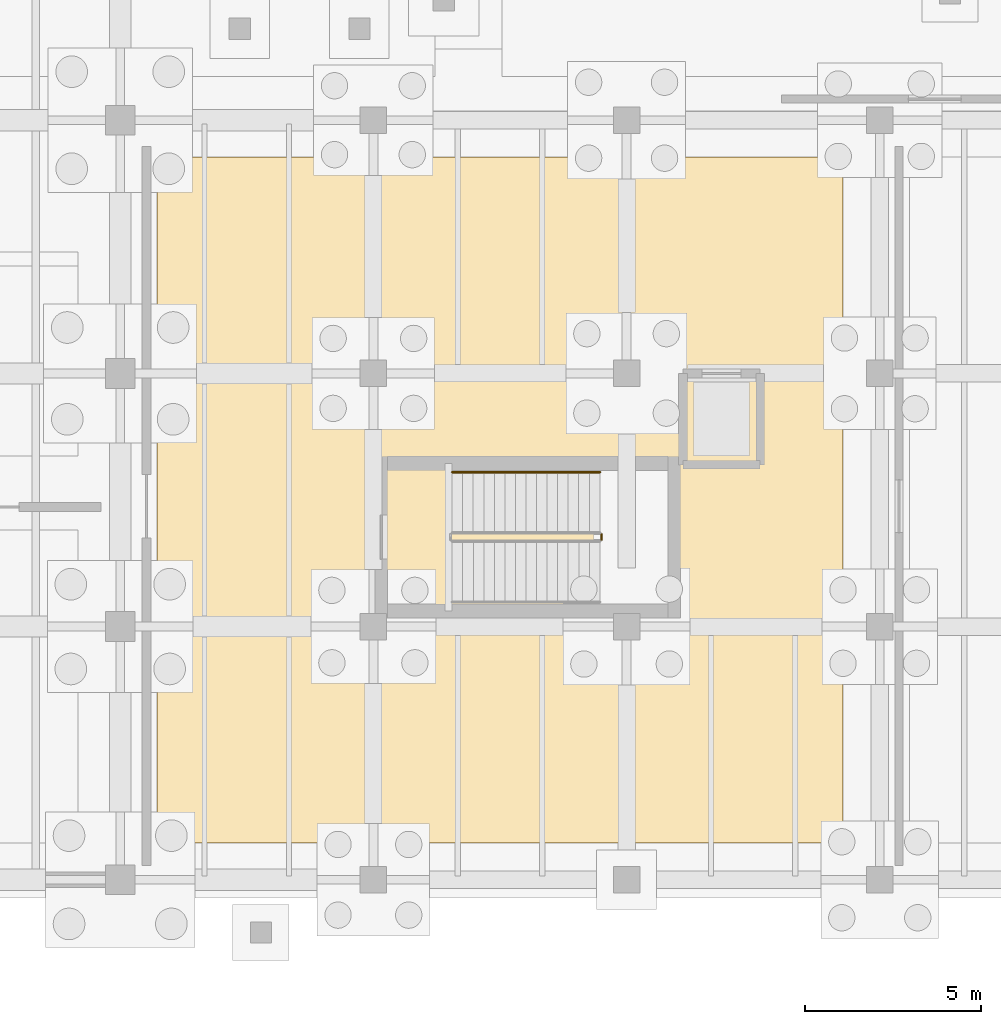
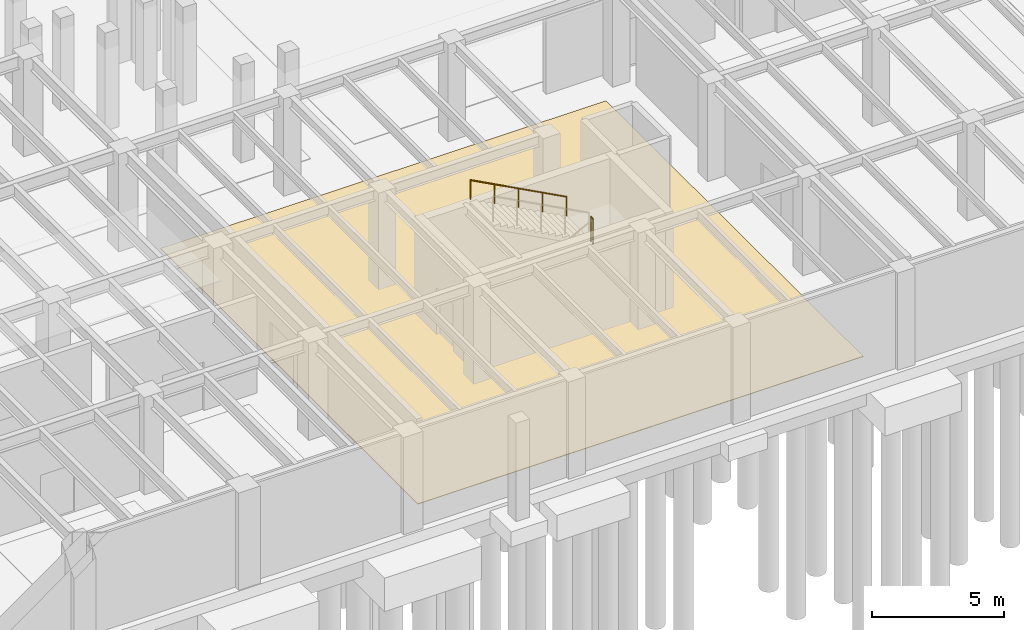
# One storey, part 20 of 26: 2 railings, 1 covering.
"""IFC4 building model written with IfcOpenShell, lengths in metres."""

import ifcopenshell
import ifcopenshell.guid

model = None  # the IFC model being written
_history = None  # IfcOwnerHistory: only IFC2X3 demands one
_inside = {}  # id of a spatial element -> (the spatial element, [elements in it])
_under = {}  # id of a project, library or spatial element -> (it, [spatial elements below it])
_declared = {}  # id of a project -> (the project, [libraries it declares])
_typed = {}  # id of a type object -> (the type object, [elements of that type])
_made_of = {}  # id of a material, layer set ... -> (it, [elements and type objects made of it])


def new_model(schema):
    """Start an empty IFC model of exactly this schema.

    Asked for "IFC4X3", IfcOpenShell would pick the latest addendum, in which some entities
    have other attributes; the version numbers below select the first issue.
    IFC2X3 requires an IfcOwnerHistory on every rooted entity: one is made here for all.
    """
    global model, _history
    if schema == "IFC4X3":
        model = ifcopenshell.file(schema_version=(4, 3, 0, 0))
    else:
        model = ifcopenshell.file(schema=schema)
    _inside.clear()
    _under.clear()
    _declared.clear()
    _typed.clear()
    _made_of.clear()
    _history = None
    if model.schema == "IFC2X3":
        org = make("IfcOrganization", Name="unknown")
        user = make(
            "IfcPersonAndOrganization",
            ThePerson=make("IfcPerson", FamilyName="unknown"),
            TheOrganization=org,
        )
        app = make(
            "IfcApplication",
            ApplicationDeveloper=org,
            Version="unknown",
            ApplicationFullName="unknown",
            ApplicationIdentifier="unknown",
        )
        _history = make(
            "IfcOwnerHistory",
            OwningUser=user,
            OwningApplication=app,
            ChangeAction="ADDED",
            CreationDate=0,
        )
    return model


def make(cls, **values):
    """One entity of the class cls with the attributes given. An attribute that is None is left unset."""
    return model.create_entity(
        cls, **{name: value for name, value in values.items() if value is not None}
    )


def rooted(cls, **values):
    """An entity with a GlobalId (a new one), such as an element, a storey or a relation."""
    return make(cls, GlobalId=ifcopenshell.guid.new(), OwnerHistory=_history, **values)


def si_unit(unit_type, name, prefix=None):
    """IfcSIUnit, for example si_unit("LENGTHUNIT", "METRE", prefix="MILLI")."""
    return make("IfcSIUnit", UnitType=unit_type, Prefix=prefix, Name=name)


def assignment(units):
    """IfcUnitAssignment: the units of a project."""
    return None if units is None else make("IfcUnitAssignment", Units=units)


def point(xyz):
    """IfcCartesianPoint."""
    return None if xyz is None else make("IfcCartesianPoint", Coordinates=xyz)


def direction(xyz):
    """IfcDirection."""
    return None if xyz is None else make("IfcDirection", DirectionRatios=xyz)


def frame(location, z_axis=None, x_axis=None):
    """IfcAxis2Placement3D, a coordinate frame: its origin and axes. An axis left out is left unset."""
    return make(
        "IfcAxis2Placement3D",
        Location=point(location),
        Axis=direction(z_axis),
        RefDirection=direction(x_axis),
    )


def frame_2d(location, x_axis=None):
    """IfcAxis2Placement2D, a coordinate frame in the plane: its origin and x axis."""
    return make(
        "IfcAxis2Placement2D", Location=point(location), RefDirection=direction(x_axis)
    )


def origin():
    """The frame at (0, 0, 0) with its axes left unset."""
    return frame((0.0, 0.0, 0.0))


def origin_2d():
    """The frame at (0, 0) in the plane with its x axis left unset."""
    return frame_2d((0.0, 0.0))


def place(relative_to, where):
    """IfcLocalPlacement: puts the frame where relative to a parent placement (None: the world)."""
    return make(
        "IfcLocalPlacement", PlacementRelTo=relative_to, RelativePlacement=where
    )


def context(
    kind, dimensions, precision=None, world=None, true_north=None, identifier=None
):
    """IfcGeometricRepresentationContext, for example the 3D "Model" context."""
    return make(
        "IfcGeometricRepresentationContext",
        ContextIdentifier=identifier,
        ContextType=kind,
        CoordinateSpaceDimension=dimensions,
        Precision=precision,
        WorldCoordinateSystem=world,
        TrueNorth=true_north,
    )


def subcontext(parent, identifier, kind, view, scale=None):
    """IfcGeometricRepresentationSubContext, for example "Body" below "Model"."""
    return make(
        "IfcGeometricRepresentationSubContext",
        ContextIdentifier=identifier,
        ContextType=kind,
        ParentContext=parent,
        TargetScale=scale,
        TargetView=view,
    )


def project(units=None, contexts=None):
    """IfcProject with its units and contexts."""
    return rooted(
        "IfcProject",
        Name="project",
        RepresentationContexts=contexts,
        UnitsInContext=assignment(units),
    )


def spatial(cls, under=None, at=None, **own):
    """A site, building, storey or space (cls), placed at a placement, below another one or the project."""
    s = rooted(cls, ObjectPlacement=at, **own)
    if under is not None:
        _under.setdefault(under.id(), (under, []))[1].append(s)
    return s


def polyline(points):
    """IfcPolyline through the points."""
    return make("IfcPolyline", Points=[point(p) for p in points])


def profile(cls, at=None, kind="AREA", **sizes):
    """A parametric profile (cls). Its sizes go by their IFC names, for example OverallWidth=200.0."""
    return make(cls, ProfileType=kind, Position=at, **sizes)


def circle(**sizes):
    """IfcCircleProfileDef."""
    return profile("IfcCircleProfileDef", **sizes)


def outline(outer, holes=None, kind="AREA"):
    """IfcArbitraryClosedProfileDef: a profile drawn as a closed curve; with holes, ...WithVoids."""
    if holes is None:
        return make("IfcArbitraryClosedProfileDef", ProfileType=kind, OuterCurve=outer)
    return make(
        "IfcArbitraryProfileDefWithVoids",
        ProfileType=kind,
        OuterCurve=outer,
        InnerCurves=holes,
    )


def extrude(swept, where, along, depth):
    """IfcExtrudedAreaSolid: the profile swept, set in the frame where, extruded along a direction by depth."""
    return make(
        "IfcExtrudedAreaSolid",
        SweptArea=swept,
        Position=where,
        ExtrudedDirection=direction(along),
        Depth=depth,
    )


def shape(context_of_items, identifier, shape_type, items):
    """IfcShapeRepresentation: the items that make up one representation, for example the "Body"."""
    return make(
        "IfcShapeRepresentation",
        ContextOfItems=context_of_items,
        RepresentationIdentifier=identifier,
        RepresentationType=shape_type,
        Items=items,
    )


def material(Name=None, Category=None):
    """IfcMaterial."""
    return make("IfcMaterial", Name=Name, Category=Category)


def layer(
    of_material, thickness, ventilated=None, Name=None, Category=None, Priority=None
):
    """IfcMaterialLayer: one layer of a wall or slab, of a material (None: an air gap)."""
    return make(
        "IfcMaterialLayer",
        Material=of_material,
        LayerThickness=thickness,
        IsVentilated=ventilated,
        Name=Name,
        Category=Category,
        Priority=Priority,
    )


def layer_set(layers, Name=None):
    """IfcMaterialLayerSet."""
    return make("IfcMaterialLayerSet", MaterialLayers=layers, LayerSetName=Name)


def made_of(thing, what):
    """Note that an element or type object is made of a material, layer set ...; save() writes the relation."""
    if what is not None:
        _made_of.setdefault(what.id(), (what, []))[1].append(thing)
    return thing


def type_object(cls, material=None, **own):
    """A type object (cls), such as IfcWallType, which elements share."""
    return made_of(rooted(cls, **own), material)


def element(
    cls,
    number,
    at=None,
    inside=None,
    cuts=None,
    type_object=None,
    material=None,
    context=None,
    identifier="Body",
    shape_type=None,
    held_by="IfcProductDefinitionShape",
    body=None,
    shapes=None,
    **own,
):
    """One element of the class cls, such as IfcWall. Its Tag is "e" and its number.

    at: its placement. inside: the storey or other place that contains it. cuts: it is an
    opening in that element (IfcRelVoidsElement). A single representation is given by context,
    identifier, shape_type and body (its items); several are given by shapes. held_by: the class
    of the entity that holds the representations. save() writes the other relations.
    """
    e = rooted(cls, Tag="e%d" % number, ObjectPlacement=at, **own)
    if body is not None:
        shapes = [shape(context, identifier, shape_type, body)]
    if shapes is not None:
        e.Representation = make(held_by, Representations=shapes)
    if inside is not None:
        _inside.setdefault(inside.id(), (inside, []))[1].append(e)
    if cuts is not None:
        rooted(
            "IfcRelVoidsElement", RelatingBuildingElement=cuts, RelatedOpeningElement=e
        )
    if type_object is not None:
        _typed.setdefault(type_object.id(), (type_object, []))[1].append(e)
    return made_of(e, material)


def aggregate(whole, parts):
    """IfcRelAggregates: a whole, such as a stair, and the parts it consists of."""
    return rooted("IfcRelAggregates", RelatingObject=whole, RelatedObjects=parts)


def save(model, path):
    """Write the relations noted so far, then the file.

    IfcRelAggregates (storeys below a building ...), IfcRelContainedInSpatialStructure (elements
    in a storey), IfcRelDefinesByType, IfcRelAssociatesMaterial and IfcRelDeclares: one each for
    every whole, place, type object, material and project.
    """
    for whole, parts in _under.values():
        aggregate(whole, parts)
    for where, things in _inside.values():
        rooted(
            "IfcRelContainedInSpatialStructure",
            RelatedElements=things,
            RelatingStructure=where,
        )
    for kind, things in _typed.values():
        rooted("IfcRelDefinesByType", RelatedObjects=things, RelatingType=kind)
    for what, things in _made_of.values():
        rooted("IfcRelAssociatesMaterial", RelatedObjects=things, RelatingMaterial=what)
    for by, libraries in _declared.values():
        rooted("IfcRelDeclares", RelatingContext=by, RelatedDefinitions=libraries)
    model.write(path)


model = new_model("IFC4")

# Units and contexts
model_context = context("Model", 3, precision=1e-05, world=origin(), true_north=direction((0.0, 1.0)))
body_context = subcontext(model_context, "Body", "Model", "MODEL_VIEW")
ifc_project = project(units=[si_unit("LENGTHUNIT", "METRE"), si_unit("AREAUNIT", "SQUARE_METRE"), si_unit("VOLUMEUNIT", "CUBIC_METRE"), si_unit("PLANEANGLEUNIT", "RADIAN"), si_unit("MASSUNIT", "GRAM", prefix="KILO")], contexts=[model_context])

# Site, building, storey
site_placement = place(None, origin())
site = spatial("IfcSite", under=ifc_project, at=site_placement, CompositionType="ELEMENT")
building_placement = place(site_placement, origin())
building = spatial("IfcBuilding", under=site, at=building_placement, Name="Kandorven Conservatory and Botanical Research Centre", CompositionType="ELEMENT")
storey_placement = place(building_placement, frame((0.0, 0.0, -4.800048828125)))
storey = spatial("IfcBuildingStorey", under=building, at=storey_placement, Name="B01", CompositionType="ELEMENT", Elevation=-4.800048828125)

# Covering
ifc_material_1 = material(Name="Honed Kota stone and epoxy laboratory flooring", Category="masonry")
ifc_layer = layer(ifc_material_1, 0.02490234375)
ifc_layer_set = layer_set([ifc_layer], Name="Honed Kota stone and epoxy laboratory flooring")
covering_type = type_object("IfcCoveringType", Name="Cov_Flooring_1", PredefinedType="FLOORING", material=ifc_layer_set)
covering_placement = place(storey_placement, origin())
element("IfcCovering", 1, at=covering_placement, inside=storey, type_object=covering_type, Name="Floor finish FLR-01 (11 kV Substation and Standby Generator Hall)", PredefinedType="FLOORING", context=body_context, shape_type="SweptSolid", body=[
    extrude(outline(polyline([(43.050048828125, 7.050048828125), (62.550048828125, 7.050048828125), (62.550048828125, 26.550048828125), (43.050048828125, 26.550048828125), (43.050048828125, 7.050048828125)])), origin(), (0.0, 0.0, 1.0), 0.025146484375),
])

# Railings
ifc_material_2 = material(Name="Steel S355 (IS 2062 E350)", Category="steel")
railing_type_1 = type_object("IfcRailingType", Name="StairGuard_1150", PredefinedType="BALUSTRADE", material=ifc_material_2)
railing_1_placement = place(storey_placement, frame((55.68994140625, 15.669921875, 2.400146484375)))
element("IfcRailing", 2, at=railing_1_placement, inside=storey, type_object=railing_type_1, Name="B01 ST-V3A stair guard 2", PredefinedType="BALUSTRADE", context=body_context, shape_type="SweptSolid", body=[
    extrude(circle(Radius=0.02392578125, at=origin_2d()), frame((0.0, 0.0, 1.17578125), z_axis=(0.0, 1.0, 0.0), x_axis=(-1.0, 0.0, 0.0)), (0.0, 0.0, 1.0), 0.150146484375),
    extrude(circle(Radius=0.02099609375, at=origin_2d()), origin(), (0.0, 0.0, 1.0), 1.15185546875),
    extrude(circle(Radius=0.02099609375, at=origin_2d()), frame((0.0, 0.150146484375, 0.0)), (0.0, 0.0, 1.0), 1.15185546875),
])
ifc_material_3 = material(Name="Steel S355 (IS 2062 E350)", Category="steel")
railing_type_2 = type_object("IfcRailingType", Name="StairHandrail_900", PredefinedType="HANDRAIL", material=ifc_material_3)
railing_2_placement = place(storey_placement, frame((55.639892578125, 17.590087890625, 2.56005859375)))
element("IfcRailing", 3, at=railing_2_placement, inside=storey, type_object=railing_type_2, Name="B01 ST-V3A stair handrail 2", PredefinedType="HANDRAIL", context=body_context, shape_type="SweptSolid", body=[
    extrude(circle(Radius=0.02392578125, at=origin_2d()), frame((0.0, 0.0, 0.8759765625), z_axis=(-0.882351521365, 0.0, 0.470590897432), x_axis=(0.0, -1.0, 0.0)), (0.0, 0.0, 1.0), 4.760009765625),
    extrude(circle(Radius=0.02099609375, at=origin_2d()), origin(), (0.0, 0.0, 1.0), 0.851806640625),
    extrude(circle(Radius=0.02099609375, at=origin_2d()), frame((-1.050048828125, 0.0, 0.56005859375)), (0.0, 0.0, 1.0), 0.851806640625),
    extrude(circle(Radius=0.02099609375, at=origin_2d()), frame((-2.10009765625, 0.0, 1.1201171875)), (0.0, 0.0, 1.0), 0.851806640625),
    extrude(circle(Radius=0.02099609375, at=origin_2d()), frame((-3.14990234375, 0.0, 1.679931640625)), (0.0, 0.0, 1.0), 0.851806640625),
    extrude(circle(Radius=0.02099609375, at=origin_2d()), frame((-4.199951171875, 0.0, 2.239990234375)), (0.0, 0.0, 1.0), 0.851806640625),
])

save(model, "model.ifc")
